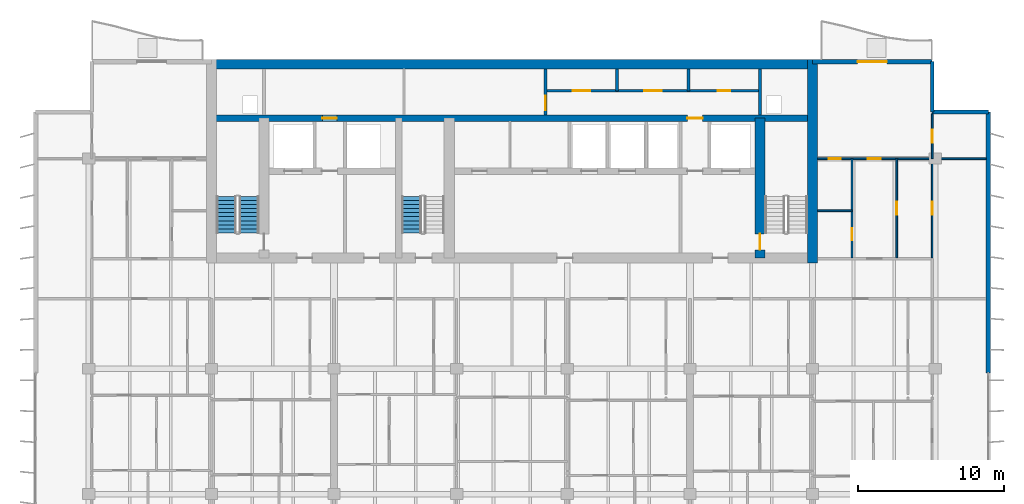
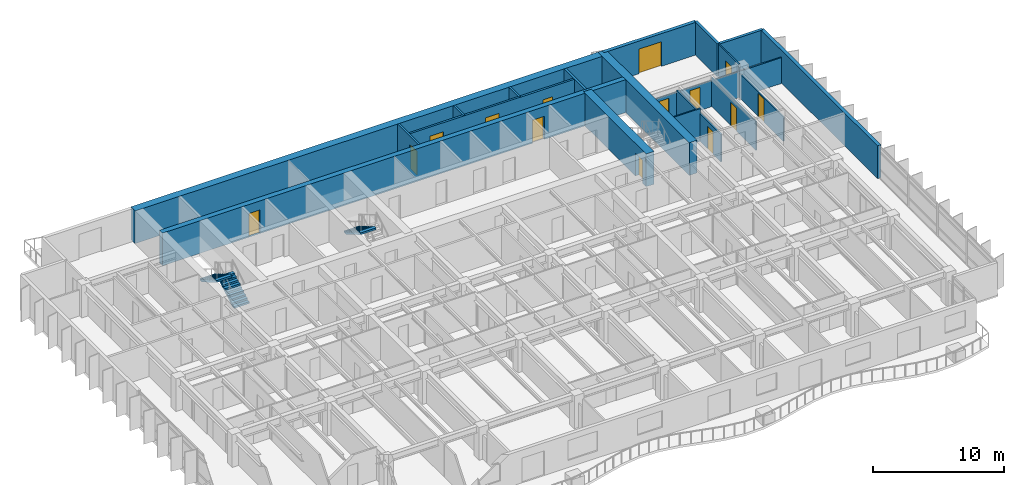
# One storey, part 14 of 19: 19 walls, 14 doors, 3 stair flights, 14 openings, 2 elements without a shape of their own.
"""IFC4 building model written with IfcOpenShell, lengths in metres."""

from ifc_helpers import new_model, si_unit, direction, frame, frame_2d, origin, place, context, subcontext, project, spatial, polyline, rectangle, outline, extrude, material, layer, layer_set, type_object, element, fill, aggregate, save


model = new_model("IFC4")

# Units and contexts
model_context = context("Model", 3, precision=1e-05, world=origin(), true_north=direction((0.0, 1.0)))
body_context = subcontext(model_context, "Body", "Model", "MODEL_VIEW")
ifc_project = project(units=[si_unit("LENGTHUNIT", "METRE"), si_unit("AREAUNIT", "SQUARE_METRE"), si_unit("VOLUMEUNIT", "CUBIC_METRE"), si_unit("PLANEANGLEUNIT", "RADIAN"), si_unit("MASSUNIT", "GRAM", prefix="KILO")], contexts=[model_context])

# Site, building, storey
site_placement = place(None, origin())
site = spatial("IfcSite", under=ifc_project, at=site_placement, CompositionType="ELEMENT")
building_placement = place(site_placement, origin())
building = spatial("IfcBuilding", under=site, at=building_placement, Name="Caelmar Bay Residences", CompositionType="ELEMENT")
storey_placement = place(building_placement, frame((0.0, 0.0, 160.5)))
storey = spatial("IfcBuildingStorey", under=building, at=storey_placement, Name="L44", CompositionType="ELEMENT", Elevation=160.5)

# Wall
ifc_material_1 = material(Name="Concrete f'c 55 MPa (8,000 psi)", Category="concrete")
ifc_layer_1 = layer(ifc_material_1, 0.699951171875)
ifc_layer_set_1 = layer_set([ifc_layer_1], Name="Concrete f'c 55 MPa (8,000 psi)")
wall_type_1 = type_object("IfcWallType", Name="SW-COR-700", PredefinedType="SHEAR", material=ifc_layer_set_1)
wall_1_placement = place(storey_placement, frame((59.5, 36.64990234375, 0.0), z_axis=(0.0, 0.0, 1.0), x_axis=(0.0, 1.0, 0.0)))
element("IfcWall", 1, at=wall_1_placement, inside=storey, type_object=wall_type_1, Name="L44 Rear Core East Shear Wall", PredefinedType="SHEAR", context=body_context, shape_type="SweptSolid", body=[
    extrude(rectangle(XDim=13.9501953125, YDim=0.699951171875, at=frame_2d((6.97509765625, 0.0))), origin(), (0.0, 0.0, 1.0), 3.050048828125),
])

# Wall, opening, door
wall_2_placement = place(storey_placement, frame((55.89990234375, 37.0, 0.0), z_axis=(0.0, 0.0, 1.0), x_axis=(0.0, 1.0, 0.0)))
wall_2 = element("IfcWall", 2, at=wall_2_placement, inside=storey, type_object=wall_type_1, Name="L44 Core Structural Web Wall ST2W", PredefinedType="SHEAR", context=body_context, shape_type="SweptSolid", body=[
    extrude(rectangle(XDim=9.574951171875, YDim=0.699951171875, at=frame_2d((4.78759765625, 0.0))), origin(), (0.0, 0.0, 1.0), 3.050048828125),
])
opening_1_placement = place(wall_2_placement, frame((0.550048828125, 0.0, 0.0)))
opening_1 = element("IfcOpeningElement", 3, at=opening_1_placement, cuts=wall_2, Name="Opening D-L44-110", PredefinedType="OPENING", context=body_context, shape_type="SweptSolid", body=[
    extrude(rectangle(XDim=1.10009765625, YDim=2.14990234375, at=frame_2d((0.550048828125, 1.074951171875))), frame((0.0, 0.35986328125, 0.0), z_axis=(0.0, -1.0, 0.0), x_axis=(1.0, 0.0, 0.0)), (0.0, 0.0, 1.0), 0.719970703125),
])
ifc_material_2 = material(Name="Fire-rated steel and walnut architectural door assembly", Category="steel")
ifc_layer_2 = layer(ifc_material_2, 0.050048828125)
ifc_layer_set_2 = layer_set([ifc_layer_2], Name="Fire-rated steel and walnut architectural door assembly")
door_type_1 = type_object("IfcDoorType", Name="D-STAIR-1100", OperationType="NOTDEFINED", PredefinedType="DOOR", material=ifc_layer_set_2)
door_1_placement = place(opening_1_placement, origin())
door_1 = element("IfcDoor", 4, at=door_1_placement, inside=storey, type_object=door_type_1, Name="L44 Firefighting Lobby East Door", OperationType="SINGLE_SWING_LEFT", OverallHeight=2.14990234375, OverallWidth=1.10009765625, PredefinedType="DOOR", context=body_context, shape_type="SweptSolid", body=[
    extrude(rectangle(XDim=1.10009765625, YDim=2.14990234375, at=frame_2d((0.550048828125, 1.074951171875))), frame((0.0, 0.02490234375, 0.0), z_axis=(0.0, -1.0, 0.0), x_axis=(1.0, 0.0, 0.0)), (0.0, 0.0, 1.0), 0.050048828125),
])
fill(opening_1, door_1)

# Wall
ifc_layer_3 = layer(ifc_material_1, 0.64990234375)
ifc_layer_set_3 = layer_set([ifc_layer_3], Name="Concrete f'c 55 MPa (8,000 psi)")
wall_type_2 = type_object("IfcWallType", Name="SW-CORN-650", PredefinedType="SHEAR", material=ifc_layer_set_3)
wall_3_placement = place(storey_placement, frame((17.949951171875, 50.27490234375, 0.0), z_axis=(0.0, 0.0, 1.0), x_axis=(1.0, 0.0, 0.0)))
element("IfcWall", 5, at=wall_3_placement, inside=storey, type_object=wall_type_2, Name="L44 Rear Core North Shear Wall", PredefinedType="SHEAR", context=body_context, shape_type="SweptSolid", body=[
    extrude(rectangle(XDim=41.900146484375, YDim=0.64990234375, at=frame_2d((20.9501953125, 0.0))), origin(), (0.0, 0.0, 1.0), 3.050048828125),
])

# Wall, openings, doors
ifc_material_3 = material(Name="Concrete f'c 70 MPa (10,000 psi)", Category="concrete")
ifc_layer_4 = layer(ifc_material_3, 0.449951171875)
ifc_layer_set_4 = layer_set([ifc_layer_4], Name="Concrete f'c 70 MPa (10,000 psi)")
wall_type_3 = type_object("IfcWallType", Name="SW-WEB-450", PredefinedType="SHEAR", material=ifc_layer_set_4)
wall_4_placement = place(storey_placement, frame((18.300048828125, 46.574951171875, 0.0), z_axis=(0.0, 0.0, 1.0), x_axis=(1.0, 0.0, 0.0)))
wall_4 = element("IfcWall", 6, at=wall_4_placement, inside=storey, type_object=wall_type_3, Name="L44 Core Structural Web Wall SRVS", PredefinedType="SHEAR", context=body_context, shape_type="SweptSolid", body=[
    extrude(rectangle(XDim=41.199951171875, YDim=0.449951171875, at=frame_2d((20.60009765625, 0.0))), origin(), (0.0, 0.0, 1.0), 3.050048828125),
])
opening_2_placement = place(wall_4_placement, frame((7.60009765625, 0.0, 0.0)))
opening_2 = element("IfcOpeningElement", 7, at=opening_2_placement, cuts=wall_4, Name="Opening D-L44-116", PredefinedType="OPENING", context=body_context, shape_type="SweptSolid", body=[
    extrude(rectangle(XDim=1.0, YDim=2.199951171875, at=frame_2d((0.5, 1.10009765625))), frame((0.0, 0.23486328125, 0.0), z_axis=(0.0, -1.0, 0.0), x_axis=(1.0, 0.0, 0.0)), (0.0, 0.0, 1.0), 0.469970703125),
])
opening_3_placement = place(wall_4_placement, frame((32.625, 0.0, 0.0)))
opening_3 = element("IfcOpeningElement", 8, at=opening_3_placement, cuts=wall_4, Name="Opening D-L44-117", PredefinedType="OPENING", context=body_context, shape_type="SweptSolid", body=[
    extrude(rectangle(XDim=1.050048828125, YDim=2.14990234375, at=frame_2d((0.52490234375, 1.074951171875))), frame((0.0, 0.23486328125, 0.0), z_axis=(0.0, -1.0, 0.0), x_axis=(1.0, 0.0, 0.0)), (0.0, 0.0, 1.0), 0.469970703125),
])
ifc_layer_5 = layer(ifc_material_2, 0.050048828125)
ifc_layer_set_5 = layer_set([ifc_layer_5], Name="Fire-rated steel and walnut architectural door assembly")
door_type_2 = type_object("IfcDoorType", Name="D-FSAE-1050", OperationType="NOTDEFINED", PredefinedType="DOOR", material=ifc_layer_set_5)
door_2_placement = place(opening_3_placement, origin())
door_2 = element("IfcDoor", 9, at=door_2_placement, inside=storey, type_object=door_type_2, Name="L44 East Core Service Corridor Door", OperationType="SINGLE_SWING_RIGHT", OverallHeight=2.14990234375, OverallWidth=1.050048828125, PredefinedType="DOOR", context=body_context, shape_type="SweptSolid", body=[
    extrude(rectangle(XDim=1.050048828125, YDim=2.14990234375, at=frame_2d((0.52490234375, 1.074951171875))), frame((0.0, 0.02490234375, 0.0), z_axis=(0.0, -1.0, 0.0), x_axis=(1.0, 0.0, 0.0)), (0.0, 0.0, 1.0), 0.050048828125),
])
fill(opening_3, door_2)
ifc_layer_6 = layer(ifc_material_2, 0.050048828125)
ifc_layer_set_6 = layer_set([ifc_layer_6], Name="Fire-rated steel and walnut architectural door assembly")
door_type_3 = type_object("IfcDoorType", Name="D-UNIT-1000", OperationType="NOTDEFINED", PredefinedType="DOOR", material=ifc_layer_set_6)
door_3_placement = place(opening_2_placement, origin())
door_3 = element("IfcDoor", 10, at=door_3_placement, inside=storey, type_object=door_type_3, Name="L44 Package Concierge Office Door", OperationType="SINGLE_SWING_LEFT", OverallHeight=2.199951171875, OverallWidth=1.0, PredefinedType="DOOR", context=body_context, shape_type="SweptSolid", body=[
    extrude(rectangle(XDim=1.0, YDim=2.199951171875, at=frame_2d((0.5, 1.10009765625))), frame((0.0, 0.02490234375, 0.0), z_axis=(0.0, -1.0, 0.0), x_axis=(1.0, 0.0, 0.0)), (0.0, 0.0, 1.0), 0.050048828125),
])
fill(opening_2, door_3)

# Wall, opening, door
ifc_material_4 = material(Name="Double-stud acoustic fire-rated gypsum partition 180 mm")
ifc_layer_7 = layer(ifc_material_4, 0.179931640625)
ifc_layer_set_7 = layer_set([ifc_layer_7], Name="Double-stud acoustic fire-rated gypsum partition 180 mm")
wall_type_4 = type_object("IfcWallType", Name="W-COR-200", PredefinedType="PARTITIONING", material=ifc_layer_set_7)
wall_5_placement = place(storey_placement, frame((41.199951171875, 46.794921875, 0.0), z_axis=(0.0, 0.0, 1.0), x_axis=(0.0, 1.0, 0.0)))
wall_5 = element("IfcWall", 11, at=wall_5_placement, inside=storey, type_object=wall_type_4, Name="L44 Partition Wall V048", PredefinedType="PARTITIONING", context=body_context, shape_type="SweptSolid", body=[
    extrude(rectangle(XDim=3.16015625, YDim=0.179931640625, at=frame_2d((1.580078125, 0.0))), origin(), (0.0, 0.0, 1.0), 3.050048828125),
])
opening_4_placement = place(wall_5_placement, frame((0.327392578125, 0.0, 0.0)))
opening_4 = element("IfcOpeningElement", 12, at=opening_4_placement, cuts=wall_5, Name="Opening D-L44-118", PredefinedType="OPENING", context=body_context, shape_type="SweptSolid", body=[
    extrude(rectangle(XDim=1.0, YDim=2.199951171875, at=frame_2d((0.5, 1.10009765625))), frame((0.0, 0.099853515625, 0.0), z_axis=(0.0, -1.0, 0.0), x_axis=(1.0, 0.0, 0.0)), (0.0, 0.0, 1.0), 0.199951171875),
])
door_4_placement = place(opening_4_placement, origin())
door_4 = element("IfcDoor", 13, at=door_4_placement, inside=storey, type_object=door_type_3, Name="L44 Engineering Control Office Door", OperationType="SINGLE_SWING_LEFT", OverallHeight=2.199951171875, OverallWidth=1.0, PredefinedType="DOOR", context=body_context, shape_type="SweptSolid", body=[
    extrude(rectangle(XDim=1.0, YDim=2.199951171875, at=frame_2d((0.5, 1.10009765625))), frame((0.0, 0.02490234375, 0.0), z_axis=(0.0, -1.0, 0.0), x_axis=(1.0, 0.0, 0.0)), (0.0, 0.0, 1.0), 0.050048828125),
])
fill(opening_4, door_4)

# Walls
for number, where, z_axis, x_axis, name in (
    (14, (46.10009765625, 48.449951171875, 0.0), (0.0, 0.0, 1.0), (0.0, 1.0, 0.0), "L44 Partition Wall V057"),
    (15, (51.0, 48.449951171875, 0.0), (0.0, 0.0, 1.0), (0.0, 1.0, 0.0), "L44 Partition Wall V067"),
):
    element("IfcWall", number, at=place(storey_placement, frame(where, z_axis=z_axis, x_axis=x_axis)), inside=storey, type_object=wall_type_4, Name=name, PredefinedType="PARTITIONING", context=body_context, shape_type="SweptSolid", body=[
        extrude(rectangle(XDim=1.505126953125, YDim=0.179931640625, at=frame_2d((0.75244140625, 0.0))), origin(), (0.0, 0.0, 1.0), 3.050048828125),
    ])

# Wall, openings, doors
wall_6_placement = place(storey_placement, frame((41.199951171875, 48.449951171875, 0.0), z_axis=(0.0, 0.0, 1.0), x_axis=(1.0, 0.0, 0.0)))
wall_6 = element("IfcWall", 16, at=wall_6_placement, inside=storey, type_object=wall_type_4, Name="L44 Partition Wall H133", PredefinedType="PARTITIONING", context=body_context, shape_type="SweptSolid", body=[
    extrude(rectangle(XDim=14.68603515625, YDim=0.179931640625, at=frame_2d((7.343017578125, 0.0))), origin(), (0.0, 0.0, 1.0), 3.050048828125),
])
opening_5_placement = place(wall_6_placement, frame((1.85009765625, 0.0, 0.0)))
opening_5 = element("IfcOpeningElement", 17, at=opening_5_placement, cuts=wall_6, Name="Opening D-L44-119", PredefinedType="OPENING", context=body_context, shape_type="SweptSolid", body=[
    extrude(rectangle(XDim=1.199951171875, YDim=2.199951171875, at=frame_2d((0.60009765625, 1.10009765625))), frame((0.0, 0.099853515625, 0.0), z_axis=(0.0, -1.0, 0.0), x_axis=(1.0, 0.0, 0.0)), (0.0, 0.0, 1.0), 0.199951171875),
])
opening_6_placement = place(wall_6_placement, frame((6.75, 0.0, 0.0)))
opening_6 = element("IfcOpeningElement", 18, at=opening_6_placement, cuts=wall_6, Name="Opening D-L44-120", PredefinedType="OPENING", context=body_context, shape_type="SweptSolid", body=[
    extrude(rectangle(XDim=1.199951171875, YDim=2.199951171875, at=frame_2d((0.60009765625, 1.10009765625))), frame((0.0, 0.099853515625, 0.0), z_axis=(0.0, -1.0, 0.0), x_axis=(1.0, 0.0, 0.0)), (0.0, 0.0, 1.0), 0.199951171875),
])
opening_7_placement = place(wall_6_placement, frame((11.818115234375, 0.0, 0.0)))
opening_7 = element("IfcOpeningElement", 19, at=opening_7_placement, cuts=wall_6, Name="Opening D-L44-121", PredefinedType="OPENING", context=body_context, shape_type="SweptSolid", body=[
    extrude(rectangle(XDim=0.85009765625, YDim=2.10009765625, at=frame_2d((0.425048828125, 1.050048828125))), frame((0.0, 0.099853515625, 0.0), z_axis=(0.0, -1.0, 0.0), x_axis=(1.0, 0.0, 0.0)), (0.0, 0.0, 1.0), 0.199951171875),
])
ifc_layer_8 = layer(ifc_material_2, 0.050048828125)
ifc_layer_set_8 = layer_set([ifc_layer_8], Name="Fire-rated steel and walnut architectural door assembly")
door_type_4 = type_object("IfcDoorType", Name="D-CORE-850", OperationType="NOTDEFINED", PredefinedType="DOOR", material=ifc_layer_set_8)
door_5_placement = place(opening_7_placement, origin())
door_5 = element("IfcDoor", 20, at=door_5_placement, inside=storey, type_object=door_type_4, Name="L44 Accessible Staff WC Door", OperationType="SINGLE_SWING_RIGHT", OverallHeight=2.10009765625, OverallWidth=0.85009765625, PredefinedType="DOOR", context=body_context, shape_type="SweptSolid", body=[
    extrude(rectangle(XDim=0.85009765625, YDim=2.10009765625, at=frame_2d((0.425048828125, 1.050048828125))), frame((0.0, 0.02490234375, 0.0), z_axis=(0.0, -1.0, 0.0), x_axis=(1.0, 0.0, 0.0)), (0.0, 0.0, 1.0), 0.050048828125),
])
fill(opening_7, door_5)
ifc_layer_9 = layer(ifc_material_2, 0.050048828125)
ifc_layer_set_9 = layer_set([ifc_layer_9], Name="Fire-rated steel and walnut architectural door assembly")
door_type_5 = type_object("IfcDoorType", Name="D-PLANT-1200", OperationType="NOTDEFINED", PredefinedType="DOOR", material=ifc_layer_set_9)
door_6_placement = place(opening_5_placement, origin())
door_6 = element("IfcDoor", 21, at=door_6_placement, inside=storey, type_object=door_type_5, Name="L44 Electrical Closet Door", OperationType="SINGLE_SWING_RIGHT", OverallHeight=2.199951171875, OverallWidth=1.199951171875, PredefinedType="DOOR", context=body_context, shape_type="SweptSolid", body=[
    extrude(rectangle(XDim=1.199951171875, YDim=2.199951171875, at=frame_2d((0.60009765625, 1.10009765625))), frame((0.0, 0.02490234375, 0.0), z_axis=(0.0, -1.0, 0.0), x_axis=(1.0, 0.0, 0.0)), (0.0, 0.0, 1.0), 0.050048828125),
])
fill(opening_5, door_6)
door_7_placement = place(opening_6_placement, origin())
door_7 = element("IfcDoor", 22, at=door_7_placement, inside=storey, type_object=door_type_5, Name="L44 Housekeeping Linen Closet Door", OperationType="SINGLE_SWING_LEFT", OverallHeight=2.199951171875, OverallWidth=1.199951171875, PredefinedType="DOOR", context=body_context, shape_type="SweptSolid", body=[
    extrude(rectangle(XDim=1.199951171875, YDim=2.199951171875, at=frame_2d((0.60009765625, 1.10009765625))), frame((0.0, 0.02490234375, 0.0), z_axis=(0.0, -1.0, 0.0), x_axis=(1.0, 0.0, 0.0)), (0.0, 0.0, 1.0), 0.050048828125),
])
fill(opening_6, door_7)

# Walls
ifc_material_5 = material(Name="Precast concrete f'c 40 MPa (6,000 psi)", Category="concrete")
ifc_layer_10 = layer(ifc_material_5, 0.25)
ifc_layer_set_10 = layer_set([ifc_layer_10], Name="Precast concrete f'c 40 MPa (6,000 psi)")
wall_type_5 = type_object("IfcWallType", Name="W-EXT-250", PredefinedType="ELEMENTEDWALL", material=ifc_layer_set_10)
wall_7_placement = place(storey_placement, frame((67.699951171875, 50.449951171875, 0.0), z_axis=(0.0, 0.0, 1.0), x_axis=(0.0, -1.0, 0.0)))
element("IfcWall", 23, at=wall_7_placement, inside=storey, type_object=wall_type_5, Name="L44 NNE-V Notch Wall", PredefinedType="ELEMENTEDWALL", context=body_context, shape_type="SweptSolid", body=[
    extrude(rectangle(XDim=3.449951171875, YDim=0.25, at=frame_2d((1.72509765625, 0.0))), origin(), (0.0, 0.0, 1.0), 3.050048828125),
])
wall_8_placement = place(storey_placement, frame((67.699951171875, 47.0, 0.0), z_axis=(0.0, 0.0, 1.0), x_axis=(1.0, 0.0, 0.0)))
element("IfcWall", 24, at=wall_8_placement, inside=storey, type_object=wall_type_5, Name="L44 NNE-H Notch Wall", PredefinedType="ELEMENTEDWALL", context=body_context, shape_type="SweptSolid", body=[
    extrude(rectangle(XDim=3.85009765625, YDim=0.25, at=frame_2d((1.925048828125, 0.0))), origin(), (0.0, 0.0, 1.0), 3.050048828125),
])
ifc_layer_11 = layer(ifc_material_5, 0.300048828125)
ifc_layer_set_11 = layer_set([ifc_layer_11], Name="Precast concrete f'c 40 MPa (6,000 psi)")
wall_type_6 = type_object("IfcWallType", Name="W-EXT-300", PredefinedType="STANDARD", material=ifc_layer_set_11)
wall_9_placement = place(storey_placement, frame((71.550048828125, 47.0, 0.0), z_axis=(0.0, 0.0, 1.0), x_axis=(0.0, -1.0, 0.0)))
element("IfcWall", 25, at=wall_9_placement, inside=storey, type_object=wall_type_6, Name="L44 East Rear Exterior Wall", PredefinedType="STANDARD", context=body_context, shape_type="SweptSolid", body=[
    extrude(rectangle(XDim=17.89990234375, YDim=0.300048828125, at=frame_2d((8.949951171875, 0.0))), origin(), (0.0, 0.0, 1.0), 3.050048828125),
])

# Wall, opening, door
wall_10_placement = place(storey_placement, frame((59.5, 50.449951171875, 0.0), z_axis=(0.0, 0.0, 1.0), x_axis=(1.0, 0.0, 0.0)))
wall_10 = element("IfcWall", 26, at=wall_10_placement, inside=storey, type_object=wall_type_6, Name="L44 North-East Wing Exterior Wall", PredefinedType="STANDARD", context=body_context, shape_type="SweptSolid", body=[
    extrude(rectangle(XDim=8.199951171875, YDim=0.300048828125, at=frame_2d((4.10009765625, 0.0))), origin(), (0.0, 0.0, 1.0), 3.050048828125),
])
opening_8_placement = place(wall_10_placement, frame((3.10009765625, 0.0, 0.0)))
opening_8 = element("IfcOpeningElement", 27, at=opening_8_placement, cuts=wall_10, Name="Opening L44-BDNE", PredefinedType="OPENING", context=body_context, shape_type="SweptSolid", body=[
    extrude(rectangle(XDim=2.0, YDim=2.300048828125, at=frame_2d((1.0, 1.14990234375))), frame((0.0, 0.159912109375, 0.0), z_axis=(0.0, -1.0, 0.0), x_axis=(1.0, 0.0, 0.0)), (0.0, 0.0, 1.0), 0.320068359375),
])
ifc_material_6 = material(Name="Anodised bronze thermally broken sliding glass door", Category="glass")
ifc_layer_12 = layer(ifc_material_6, 0.050048828125)
ifc_layer_set_12 = layer_set([ifc_layer_12], Name="Anodised bronze thermally broken sliding glass door")
door_type_6 = type_object("IfcDoorType", Name="D-BAL-2000", OperationType="DOUBLE_DOOR_SLIDING", PredefinedType="DOOR", material=ifc_layer_set_12)
door_8_placement = place(opening_8_placement, origin())
door_8 = element("IfcDoor", 28, at=door_8_placement, inside=storey, type_object=door_type_6, Name="L44 North-East Balcony Door", OperationType="DOUBLE_DOOR_SLIDING", OverallHeight=2.300048828125, OverallWidth=2.0, PredefinedType="DOOR", context=body_context, shape_type="SweptSolid", body=[
    extrude(rectangle(XDim=2.0, YDim=2.300048828125, at=frame_2d((1.0, 1.14990234375))), frame((0.0, 0.02490234375, 0.0), z_axis=(0.0, -1.0, 0.0), x_axis=(1.0, 0.0, 0.0)), (0.0, 0.0, 1.0), 0.050048828125),
])
fill(opening_8, door_8)

# Wall
ifc_material_7 = material(Name="Fire-rated masonry and gypsum shaftliner assembly 200 mm", Category="masonry")
ifc_layer_13 = layer(ifc_material_7, 0.199951171875)
ifc_layer_set_13 = layer_set([ifc_layer_13], Name="Fire-rated masonry and gypsum shaftliner assembly 200 mm")
wall_type_7 = type_object("IfcWallType", Name="W-FSAE-200", PredefinedType="PARTITIONING", material=ifc_layer_set_13)
wall_11_placement = place(storey_placement, frame((55.89990234375, 46.794921875, 0.0), z_axis=(0.0, 0.0, 1.0), x_axis=(0.0, 1.0, 0.0)))
element("IfcWall", 29, at=wall_11_placement, inside=storey, type_object=wall_type_7, Name="L44 Partition Wall V077", PredefinedType="PARTITIONING", context=body_context, shape_type="SweptSolid", body=[
    extrude(rectangle(XDim=3.16015625, YDim=0.199951171875, at=frame_2d((1.580078125, 0.0))), origin(), (0.0, 0.0, 1.0), 3.050048828125),
])

# Wall, opening, door
ifc_material_8 = material(Name="Anodised bronze framed acoustic sliding study partition 100 mm")
ifc_layer_14 = layer(ifc_material_8, 0.10009765625)
ifc_layer_set_14 = layer_set([ifc_layer_14], Name="Anodised bronze framed acoustic sliding study partition 100 mm")
wall_type_8 = type_object("IfcWallType", Name="W-MOV-100", PredefinedType="MOVABLE", material=ifc_layer_set_14)
wall_12_placement = place(storey_placement, frame((67.699951171875, 37.0, 0.0), z_axis=(0.0, 0.0, 1.0), x_axis=(0.0, 1.0, 0.0)))
wall_12 = element("IfcWall", 30, at=wall_12_placement, inside=storey, type_object=wall_type_8, Name="L44 Partition Wall V099", PredefinedType="MOVABLE", context=body_context, shape_type="SweptSolid", body=[
    extrude(rectangle(XDim=6.800048828125, YDim=0.10009765625, at=frame_2d((3.39990234375, 0.0))), origin(), (0.0, 0.0, 1.0), 2.262939453125),
])
opening_9_placement = place(wall_12_placement, frame((2.949951171875, 0.0, 0.0)))
opening_9 = element("IfcOpeningElement", 31, at=opening_9_placement, cuts=wall_12, Name="Opening D-L44-178", PredefinedType="OPENING", context=body_context, shape_type="SweptSolid", body=[
    extrude(rectangle(XDim=0.89990234375, YDim=2.14990234375, at=frame_2d((0.449951171875, 1.074951171875))), frame((0.0, 0.06005859375, 0.0), z_axis=(0.0, -1.0, 0.0), x_axis=(1.0, 0.0, 0.0)), (0.0, 0.0, 1.0), 0.1201171875),
])
ifc_material_9 = material(Name="Solid walnut timber interior door leaf and frame", Category="wood")
ifc_layer_15 = layer(ifc_material_9, 0.050048828125)
ifc_layer_set_15 = layer_set([ifc_layer_15], Name="Solid walnut timber interior door leaf and frame")
door_type_7 = type_object("IfcDoorType", Name="D-ROOM-900", OperationType="NOTDEFINED", PredefinedType="DOOR", material=ifc_layer_set_15)
door_9_placement = place(opening_9_placement, origin())
door_9 = element("IfcDoor", 32, at=door_9_placement, inside=storey, type_object=door_type_7, Name="L44 Residence EA Sun Study Door", OperationType="SINGLE_SWING_LEFT", OverallHeight=2.14990234375, OverallWidth=0.89990234375, PredefinedType="DOOR", context=body_context, shape_type="SweptSolid", body=[
    extrude(rectangle(XDim=0.89990234375, YDim=2.14990234375, at=frame_2d((0.449951171875, 1.074951171875))), frame((0.0, 0.02490234375, 0.0), z_axis=(0.0, -1.0, 0.0), x_axis=(1.0, 0.0, 0.0)), (0.0, 0.0, 1.0), 0.050048828125),
])
fill(opening_9, door_9)

ifc_material_10 = material(Name="Acoustic metal-stud gypsum partition 120 mm")
ifc_layer_16 = layer(ifc_material_10, 0.1201171875)
ifc_layer_set_16 = layer_set([ifc_layer_16], Name="Acoustic metal-stud gypsum partition 120 mm")
wall_type_9 = type_object("IfcWallType", Name="W-PRT-120", PredefinedType="PARTITIONING", material=ifc_layer_set_16)
wall_13_placement = place(storey_placement, frame((62.199951171875, 37.0, 0.0), z_axis=(0.0, 0.0, 1.0), x_axis=(0.0, 1.0, 0.0)))
wall_13 = element("IfcWall", 33, at=wall_13_placement, inside=storey, type_object=wall_type_9, Name="L44 Partition Wall V085", PredefinedType="PARTITIONING", context=body_context, shape_type="SweptSolid", body=[
    extrude(rectangle(XDim=6.800048828125, YDim=0.1201171875, at=frame_2d((3.39990234375, 0.0))), origin(), (0.0, 0.0, 1.0), 2.577880859375),
])
opening_10_placement = place(wall_13_placement, frame((1.194091796875, 0.0, 0.0)))
opening_10 = element("IfcOpeningElement", 34, at=opening_10_placement, cuts=wall_13, Name="Opening D-L44-176", PredefinedType="OPENING", context=body_context, shape_type="SweptSolid", body=[
    extrude(rectangle(XDim=0.85009765625, YDim=2.10009765625, at=frame_2d((0.425048828125, 1.050048828125))), frame((0.0, 0.070068359375, 0.0), z_axis=(0.0, -1.0, 0.0), x_axis=(1.0, 0.0, 0.0)), (0.0, 0.0, 1.0), 0.14013671875),
])
ifc_layer_17 = layer(ifc_material_9, 0.050048828125)
ifc_layer_set_17 = layer_set([ifc_layer_17], Name="Solid walnut timber interior door leaf and frame")
door_type_8 = type_object("IfcDoorType", Name="D-BATH-850", OperationType="NOTDEFINED", PredefinedType="DOOR", material=ifc_layer_set_17)
door_10_placement = place(opening_10_placement, origin())
door_10 = element("IfcDoor", 35, at=door_10_placement, inside=storey, type_object=door_type_8, Name="L44 Residence EA Walk-In Closet Door", OperationType="SINGLE_SWING_LEFT", OverallHeight=2.10009765625, OverallWidth=0.85009765625, PredefinedType="DOOR", context=body_context, shape_type="SweptSolid", body=[
    extrude(rectangle(XDim=0.85009765625, YDim=2.10009765625, at=frame_2d((0.425048828125, 1.050048828125))), frame((0.0, 0.02490234375, 0.0), z_axis=(0.0, -1.0, 0.0), x_axis=(1.0, 0.0, 0.0)), (0.0, 0.0, 1.0), 0.050048828125),
])
fill(opening_10, door_10)

wall_14_placement = place(storey_placement, frame((65.280029296875, 37.0, 0.0), z_axis=(0.0, 0.0, 1.0), x_axis=(0.0, 1.0, 0.0)))
wall_14 = element("IfcWall", 36, at=wall_14_placement, inside=storey, type_object=wall_type_9, Name="L44 Partition Wall V090", PredefinedType="PARTITIONING", context=body_context, shape_type="SweptSolid", body=[
    extrude(rectangle(XDim=6.800048828125, YDim=0.1201171875, at=frame_2d((3.39990234375, 0.0))), origin(), (0.0, 0.0, 1.0), 2.678955078125),
])
opening_11_placement = place(wall_14_placement, frame((2.949951171875, 0.0, 0.0)))
opening_11 = element("IfcOpeningElement", 37, at=opening_11_placement, cuts=wall_14, Name="Opening D-L44-173", PredefinedType="OPENING", context=body_context, shape_type="SweptSolid", body=[
    extrude(rectangle(XDim=0.89990234375, YDim=2.14990234375, at=frame_2d((0.449951171875, 1.074951171875))), frame((0.0, 0.070068359375, 0.0), z_axis=(0.0, -1.0, 0.0), x_axis=(1.0, 0.0, 0.0)), (0.0, 0.0, 1.0), 0.14013671875),
])
door_11_placement = place(opening_11_placement, origin())
door_11 = element("IfcDoor", 38, at=door_11_placement, inside=storey, type_object=door_type_7, Name="L44 Residence EA Dining Room Door", OperationType="SINGLE_SWING_RIGHT", OverallHeight=2.14990234375, OverallWidth=0.89990234375, PredefinedType="DOOR", context=body_context, shape_type="SweptSolid", body=[
    extrude(rectangle(XDim=0.89990234375, YDim=2.14990234375, at=frame_2d((0.449951171875, 1.074951171875))), frame((0.0, 0.02490234375, 0.0), z_axis=(0.0, -1.0, 0.0), x_axis=(1.0, 0.0, 0.0)), (0.0, 0.0, 1.0), 0.050048828125),
])
fill(opening_11, door_11)

wall_15_placement = place(storey_placement, frame((67.699951171875, 43.804931640625, 0.0), z_axis=(0.0, 0.0, 1.0), x_axis=(0.0, 1.0, 0.0)))
wall_15 = element("IfcWall", 39, at=wall_15_placement, inside=storey, type_object=wall_type_9, Name="L44 Partition Wall V100", PredefinedType="PARTITIONING", context=body_context, shape_type="SweptSolid", body=[
    extrude(rectangle(XDim=3.074951171875, YDim=0.1201171875, at=frame_2d((1.53759765625, 0.0))), origin(), (0.0, 0.0, 1.0), 3.050048828125),
])
opening_12_placement = place(wall_15_placement, frame((1.08740234375, 0.0, 0.0)))
opening_12 = element("IfcOpeningElement", 40, at=opening_12_placement, cuts=wall_15, Name="Opening D-L44-179", PredefinedType="OPENING", context=body_context, shape_type="SweptSolid", body=[
    extrude(rectangle(XDim=0.89990234375, YDim=2.14990234375, at=frame_2d((0.449951171875, 1.074951171875))), frame((0.0, 0.070068359375, 0.0), z_axis=(0.0, -1.0, 0.0), x_axis=(1.0, 0.0, 0.0)), (0.0, 0.0, 1.0), 0.14013671875),
])
door_12_placement = place(opening_12_placement, origin())
door_12 = element("IfcDoor", 41, at=door_12_placement, inside=storey, type_object=door_type_7, Name="L44 Residence EA North Sitting Alcove Door", OperationType="SINGLE_SWING_RIGHT", OverallHeight=2.14990234375, OverallWidth=0.89990234375, PredefinedType="DOOR", context=body_context, shape_type="SweptSolid", body=[
    extrude(rectangle(XDim=0.89990234375, YDim=2.14990234375, at=frame_2d((0.449951171875, 1.074951171875))), frame((0.0, 0.02490234375, 0.0), z_axis=(0.0, -1.0, 0.0), x_axis=(1.0, 0.0, 0.0)), (0.0, 0.0, 1.0), 0.050048828125),
])
fill(opening_12, door_12)

# Wall
wall_16_placement = place(storey_placement, frame((59.844970703125, 40.238037109375, 0.0), z_axis=(0.0, 0.0, 1.0), x_axis=(1.0, 0.0, 0.0)))
element("IfcWall", 42, at=wall_16_placement, inside=storey, type_object=wall_type_9, Name="L44 Partition Wall H130", PredefinedType="PARTITIONING", context=body_context, shape_type="SweptSolid", body=[
    extrude(rectangle(XDim=2.35498046875, YDim=0.1201171875, at=frame_2d((1.177490234375, 0.0))), origin(), (0.0, 0.0, 1.0), 3.050048828125),
])

# Wall, openings, doors
wall_17_placement = place(storey_placement, frame((59.844970703125, 43.800048828125, 0.0), z_axis=(0.0, 0.0, 1.0), x_axis=(1.0, 0.0, 0.0)))
wall_17 = element("IfcWall", 43, at=wall_17_placement, inside=storey, type_object=wall_type_9, Name="L44 Partition Wall H132", PredefinedType="PARTITIONING", context=body_context, shape_type="SweptSolid", body=[
    extrude(rectangle(XDim=11.56005859375, YDim=0.1201171875, at=frame_2d((5.780029296875, 0.0))), origin(), (0.0, 0.0, 1.0), 2.41796875),
])
opening_13_placement = place(wall_17_placement, frame((3.445068359375, 0.0, 0.0)))
opening_13 = element("IfcOpeningElement", 44, at=opening_13_placement, cuts=wall_17, Name="Opening D-L44-175", PredefinedType="OPENING", context=body_context, shape_type="SweptSolid", body=[
    extrude(rectangle(XDim=0.89990234375, YDim=2.14990234375, at=frame_2d((0.449951171875, 1.074951171875))), frame((0.0, 0.070068359375, 0.0), z_axis=(0.0, -1.0, 0.0), x_axis=(1.0, 0.0, 0.0)), (0.0, 0.0, 1.0), 0.14013671875),
])
opening_14_placement = place(wall_17_placement, frame((0.75244140625, 0.0, 0.0)))
opening_14 = element("IfcOpeningElement", 45, at=opening_14_placement, cuts=wall_17, Name="Opening D-L44-177", PredefinedType="OPENING", context=body_context, shape_type="SweptSolid", body=[
    extrude(rectangle(XDim=0.85009765625, YDim=2.10009765625, at=frame_2d((0.425048828125, 1.050048828125))), frame((0.0, 0.070068359375, 0.0), z_axis=(0.0, -1.0, 0.0), x_axis=(1.0, 0.0, 0.0)), (0.0, 0.0, 1.0), 0.14013671875),
])
door_13_placement = place(opening_14_placement, origin())
door_13 = element("IfcDoor", 46, at=door_13_placement, inside=storey, type_object=door_type_8, Name="L44 Residence EA Bathroom Door", OperationType="SINGLE_SWING_RIGHT", OverallHeight=2.10009765625, OverallWidth=0.85009765625, PredefinedType="DOOR", context=body_context, shape_type="SweptSolid", body=[
    extrude(rectangle(XDim=0.85009765625, YDim=2.10009765625, at=frame_2d((0.425048828125, 1.050048828125))), frame((0.0, 0.02490234375, 0.0), z_axis=(0.0, -1.0, 0.0), x_axis=(1.0, 0.0, 0.0)), (0.0, 0.0, 1.0), 0.050048828125),
])
fill(opening_14, door_13)
door_14_placement = place(opening_13_placement, origin())
door_14 = element("IfcDoor", 47, at=door_14_placement, inside=storey, type_object=door_type_7, Name="L44 Residence EA Studio Living and Sleeping Room Door", OperationType="SINGLE_SWING_RIGHT", OverallHeight=2.14990234375, OverallWidth=0.89990234375, PredefinedType="DOOR", context=body_context, shape_type="SweptSolid", body=[
    extrude(rectangle(XDim=0.89990234375, YDim=2.14990234375, at=frame_2d((0.449951171875, 1.074951171875))), frame((0.0, 0.02490234375, 0.0), z_axis=(0.0, -1.0, 0.0), x_axis=(1.0, 0.0, 0.0)), (0.0, 0.0, 1.0), 0.050048828125),
])
fill(opening_13, door_14)

# Stair, stair flights
ifc_material_11 = material(Name="Concrete f'c 40 MPa (6,000 psi)", Category="concrete")
stair_type = type_object("IfcStairType", Name="ST-TYP-165", PredefinedType="HALF_TURN_STAIR", material=ifc_material_11)
stair_1_placement = place(storey_placement, origin())
stair_1 = element("IfcStair", 48, at=stair_1_placement, inside=storey, type_object=stair_type, Name="L44 West Smokeproof Exit Stair ST1", PredefinedType="HALF_TURN_STAIR")
stair_flight_type = type_object("IfcStairFlightType", Name="STF-1350", PredefinedType="STRAIGHT", material=ifc_material_11)
stair_flight_1_placement = place(storey_placement, frame((20.875, 38.699951171875, 0.0), z_axis=(0.0, 0.0, 1.0), x_axis=(0.0, 1.0, 0.0)))
stair_flight_1 = element("IfcStairFlight", 49, at=stair_flight_1_placement, type_object=stair_flight_type, Name="ST1 flight 1", NumberOfRisers=10, NumberOfTreads=9, PredefinedType="STRAIGHT", RiserHeight=0.165, TreadLength=0.28, context=body_context, shape_type="SweptSolid", body=[
    extrude(outline(polyline([(0.0, 0.0), (0.0, 0.1650390625), (0.280029296875, 0.1650390625), (0.280029296875, 0.330078125), (0.56005859375, 0.330078125), (0.56005859375, 0.4951171875), (0.840087890625, 0.4951171875), (0.840087890625, 0.659912109375), (1.1201171875, 0.659912109375), (1.1201171875, 0.824951171875), (1.39990234375, 0.824951171875), (1.39990234375, 0.989990234375), (1.679931640625, 0.989990234375), (1.679931640625, 1.155029296875), (1.9599609375, 1.155029296875), (1.9599609375, 1.320068359375), (2.239990234375, 1.320068359375), (2.239990234375, 1.485107421875), (2.52001953125, 1.485107421875), (2.52001953125, 1.64990234375), (2.52001953125, 1.31103515625), (0.295166015625, 0.0), (0.0, 0.0)])), frame((0.0, 0.675048828125, 0.0), z_axis=(0.0, -1.0, 0.0), x_axis=(1.0, 0.0, 0.0)), (0.0, 0.0, 1.0), 1.35009765625),
])
stair_flight_2_placement = place(storey_placement, frame((19.324951171875, 41.219970703125, 1.64990234375), z_axis=(0.0, 0.0, 1.0), x_axis=(0.0, -1.0, 0.0)))
stair_flight_2 = element("IfcStairFlight", 50, at=stair_flight_2_placement, type_object=stair_flight_type, Name="ST1 flight 2", NumberOfRisers=10, NumberOfTreads=9, PredefinedType="STRAIGHT", RiserHeight=0.165, TreadLength=0.28, context=body_context, shape_type="SweptSolid", body=[
    extrude(outline(polyline([(0.0, 0.0), (0.0, 0.1650390625), (0.280029296875, 0.1650390625), (0.280029296875, 0.330078125), (0.56005859375, 0.330078125), (0.56005859375, 0.4951171875), (0.840087890625, 0.4951171875), (0.840087890625, 0.659912109375), (1.1201171875, 0.659912109375), (1.1201171875, 0.824951171875), (1.39990234375, 0.824951171875), (1.39990234375, 0.989990234375), (1.679931640625, 0.989990234375), (1.679931640625, 1.155029296875), (1.9599609375, 1.155029296875), (1.9599609375, 1.320068359375), (2.239990234375, 1.320068359375), (2.239990234375, 1.485107421875), (2.52001953125, 1.485107421875), (2.52001953125, 1.64990234375), (2.52001953125, 1.31103515625), (0.295166015625, 0.0), (0.0, 0.0)])), frame((0.0, 0.675048828125, 0.0), z_axis=(0.0, -1.0, 0.0), x_axis=(1.0, 0.0, 0.0)), (0.0, 0.0, 1.0), 1.35009765625),
])
aggregate(stair_1, [stair_flight_1, stair_flight_2])

# Stair, stair flight
stair_2_placement = place(storey_placement, origin())
stair_2 = element("IfcStair", 51, at=stair_2_placement, inside=storey, type_object=stair_type, Name="L44 Central Smokeproof Exit Stair ST3", PredefinedType="HALF_TURN_STAIR")
stair_flight_3_placement = place(storey_placement, frame((32.02490234375, 41.219970703125, 1.64990234375), z_axis=(0.0, 0.0, 1.0), x_axis=(0.0, -1.0, 0.0)))
stair_flight_3 = element("IfcStairFlight", 52, at=stair_flight_3_placement, type_object=stair_flight_type, Name="ST3 flight 2", NumberOfRisers=10, NumberOfTreads=9, PredefinedType="STRAIGHT", RiserHeight=0.165, TreadLength=0.28, context=body_context, shape_type="SweptSolid", body=[
    extrude(outline(polyline([(0.0, 0.0), (0.0, 0.1650390625), (0.280029296875, 0.1650390625), (0.280029296875, 0.330078125), (0.56005859375, 0.330078125), (0.56005859375, 0.4951171875), (0.840087890625, 0.4951171875), (0.840087890625, 0.659912109375), (1.1201171875, 0.659912109375), (1.1201171875, 0.824951171875), (1.39990234375, 0.824951171875), (1.39990234375, 0.989990234375), (1.679931640625, 0.989990234375), (1.679931640625, 1.155029296875), (1.9599609375, 1.155029296875), (1.9599609375, 1.320068359375), (2.239990234375, 1.320068359375), (2.239990234375, 1.485107421875), (2.52001953125, 1.485107421875), (2.52001953125, 1.64990234375), (2.52001953125, 1.31103515625), (0.295166015625, 0.0), (0.0, 0.0)])), frame((0.0, 0.675048828125, 0.0), z_axis=(0.0, -1.0, 0.0), x_axis=(1.0, 0.0, 0.0)), (0.0, 0.0, 1.0), 1.35009765625),
])
aggregate(stair_2, [stair_flight_3])

save(model, "model.ifc")
